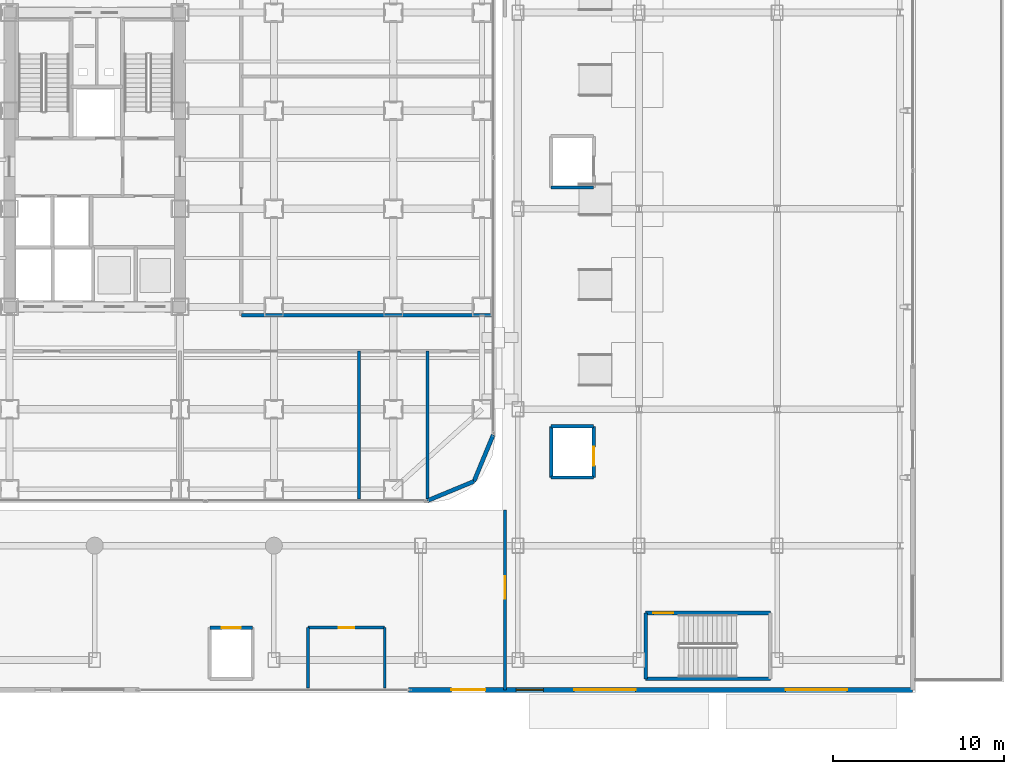
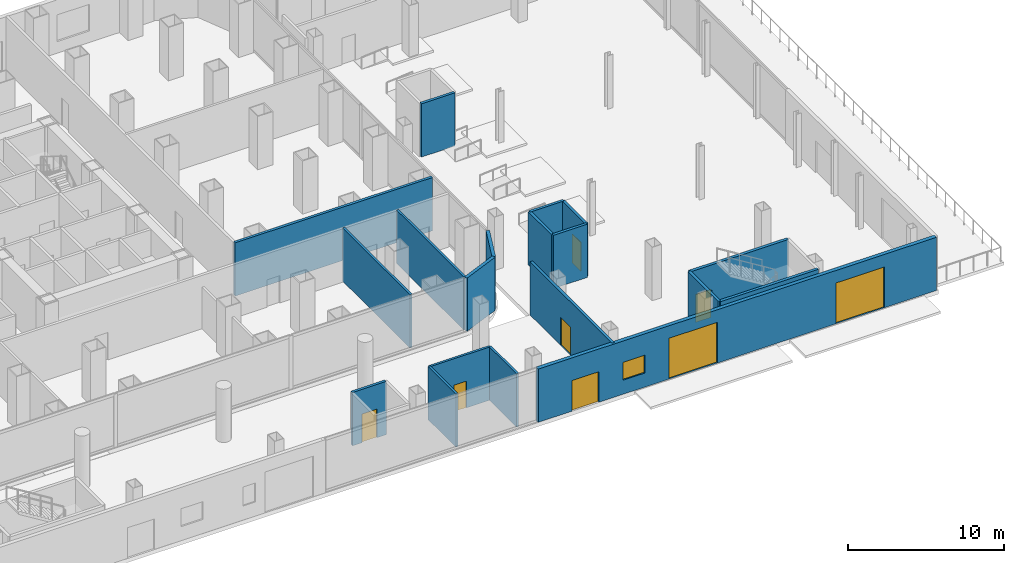
# One storey, part 21 of 31: 19 walls, 8 doors, 1 window, 9 openings.
"""IFC4 building model written with IfcOpenShell, lengths in metres."""

from ifc_helpers import new_model, si_unit, direction, frame, frame_2d, origin, place, context, subcontext, project, spatial, rectangle, extrude, material, layer, layer_set, type_object, element, fill, save


model = new_model("IFC4")

# Units and contexts
model_context = context("Model", 3, precision=1e-05, world=origin(), true_north=direction((0.0, 1.0)))
body_context = subcontext(model_context, "Body", "Model", "MODEL_VIEW")
ifc_project = project(units=[si_unit("LENGTHUNIT", "METRE"), si_unit("AREAUNIT", "SQUARE_METRE"), si_unit("VOLUMEUNIT", "CUBIC_METRE"), si_unit("PLANEANGLEUNIT", "RADIAN"), si_unit("MASSUNIT", "GRAM", prefix="KILO")], contexts=[model_context])

# Site, building, storey
site_placement = place(None, origin())
site = spatial("IfcSite", under=ifc_project, at=site_placement, CompositionType="ELEMENT")
building_placement = place(site_placement, origin())
building = spatial("IfcBuilding", under=site, at=building_placement, Name="Kolveth Station Tower", CompositionType="ELEMENT")
storey_placement = place(building_placement, origin())
storey = spatial("IfcBuildingStorey", under=building, at=storey_placement, Name="L00", CompositionType="ELEMENT", Elevation=0.0)

# Walls
ifc_material_1 = material(Name="Precast concrete C40/50", Category="concrete")
ifc_layer_1 = layer(ifc_material_1, 0.239990234375)
ifc_layer_set_1 = layer_set([ifc_layer_1], Name="Precast concrete C40/50")
wall_type_1 = type_object("IfcWallType", Name="Wall_EW-240", PredefinedType="SOLIDWALL", material=ifc_layer_set_1)
for number, where, z_axis, x_axis, name in (
    (1, (43.0, 0.139892578125, 0.0), (0.0, 0.0, 1.0), (0.923876833688, 0.382689947836, 0.0), "L00 Podium Rounded Corner Wall 1"),
    (2, (45.7294921875, 1.2705078125, 0.0), (0.0, 0.0, 1.0), (0.382689947836, 0.923876833688, 0.0), "L00 Podium Rounded Corner Wall 2"),
):
    element("IfcWall", number, at=place(storey_placement, frame(where, z_axis=z_axis, x_axis=x_axis)), inside=storey, type_object=wall_type_1, Name=name, PredefinedType="SOLIDWALL", context=body_context, shape_type="SweptSolid", body=[
        extrude(rectangle(XDim=2.954345703125, YDim=0.239990234375, at=frame_2d((1.47705078125, 0.0))), origin(), (0.0, 0.0, 1.0), 4.179931640625),
    ])

# Wall, openings, doors, window
ifc_layer_2 = layer(ifc_material_1, 0.280029296875)
ifc_layer_set_2 = layer_set([ifc_layer_2], Name="Precast concrete C40/50")
wall_type_2 = type_object("IfcWallType", Name="Wall_EW-280", PredefinedType="SOLIDWALL", material=ifc_layer_set_2)
wall_1_placement = place(storey_placement, frame((41.89990234375, -10.949951171875, 0.0), z_axis=(0.0, 0.0, 1.0), x_axis=(1.0, 0.0, 0.0)))
wall_1 = element("IfcWall", 3, at=wall_1_placement, inside=storey, type_object=wall_type_2, Name="L00 Station Exterior Wall S2", PredefinedType="SOLIDWALL", context=body_context, shape_type="SweptSolid", body=[
    extrude(rectangle(XDim=29.550048828125, YDim=0.280029296875, at=frame_2d((14.77490234375, 0.0))), origin(), (0.0, 0.0, 1.0), 4.179931640625),
])
opening_1_placement = place(wall_1_placement, frame((6.300048828125, 0.0, 1.10009765625)))
opening_1 = element("IfcOpeningElement", 4, at=opening_1_placement, cuts=wall_1, Name="Opening W7", PredefinedType="OPENING", context=body_context, shape_type="SweptSolid", body=[
    extrude(rectangle(XDim=1.60009765625, YDim=1.39990234375, at=frame_2d((0.800048828125, 0.699951171875))), frame((0.0, 0.14990234375, 0.0), z_axis=(0.0, -1.0, 0.0), x_axis=(1.0, 0.0, 0.0)), (0.0, 0.0, 1.0), 0.300048828125),
])
opening_2_placement = place(wall_1_placement, frame((2.5, 0.0, 0.0)))
opening_2 = element("IfcOpeningElement", 5, at=opening_2_placement, cuts=wall_1, Name="Opening ED1", PredefinedType="OPENING", context=body_context, shape_type="SweptSolid", body=[
    extrude(rectangle(XDim=2.0, YDim=2.39990234375, at=frame_2d((1.0, 1.199951171875))), frame((0.0, 0.14990234375, 0.0), z_axis=(0.0, -1.0, 0.0), x_axis=(1.0, 0.0, 0.0)), (0.0, 0.0, 1.0), 0.300048828125),
])
opening_3_placement = place(wall_1_placement, frame((9.699951171875, 0.0, 0.0)))
opening_3 = element("IfcOpeningElement", 6, at=opening_3_placement, cuts=wall_1, Name="Opening SG1", PredefinedType="OPENING", context=body_context, shape_type="SweptSolid", body=[
    extrude(rectangle(XDim=3.60009765625, YDim=3.199951171875, at=frame_2d((1.800048828125, 1.60009765625))), frame((0.0, 0.14990234375, 0.0), z_axis=(0.0, -1.0, 0.0), x_axis=(1.0, 0.0, 0.0)), (0.0, 0.0, 1.0), 0.300048828125),
])
opening_4_placement = place(wall_1_placement, frame((22.10009765625, 0.0, 0.0)))
opening_4 = element("IfcOpeningElement", 7, at=opening_4_placement, cuts=wall_1, Name="Opening SG1", PredefinedType="OPENING", context=body_context, shape_type="SweptSolid", body=[
    extrude(rectangle(XDim=3.60009765625, YDim=3.199951171875, at=frame_2d((1.800048828125, 1.60009765625))), frame((0.0, 0.14990234375, 0.0), z_axis=(0.0, -1.0, 0.0), x_axis=(1.0, 0.0, 0.0)), (0.0, 0.0, 1.0), 0.300048828125),
])
ifc_material_2 = material(Name="Black anodized aluminium 6063-T6 and laminated glass", Category="aluminium")
door_type_1 = type_object("IfcDoorType", Name="Door_ED1", OperationType="NOTDEFINED", PredefinedType="DOOR", material=ifc_material_2)
door_1_placement = place(opening_2_placement, origin())
door_1 = element("IfcDoor", 8, at=door_1_placement, inside=storey, type_object=door_type_1, Name="L00 Station South-East Revolving Entrance Door 2", OperationType="REVOLVING", OverallHeight=2.39990234375, OverallWidth=2.0, PredefinedType="DOOR", context=body_context, shape_type="SweptSolid", body=[
    extrude(rectangle(XDim=2.0, YDim=2.39990234375, at=frame_2d((1.0, 1.199951171875))), frame((0.0, 0.02490234375, 0.0), z_axis=(0.0, -1.0, 0.0), x_axis=(1.0, 0.0, 0.0)), (0.0, 0.0, 1.0), 0.050048828125),
])
fill(opening_2, door_1)
ifc_material_3 = material(Name="Insulated Steel S355 station service gate", Category="steel")
door_type_2 = type_object("IfcDoorType", Name="Door_SG1", OperationType="NOTDEFINED", PredefinedType="GATE", material=ifc_material_3)
door_2_placement = place(opening_3_placement, origin())
door_2 = element("IfcDoor", 9, at=door_2_placement, inside=storey, type_object=door_type_2, Name="L00 Station Night Security Gate 2", OperationType="ROLLINGUP", OverallHeight=3.199951171875, OverallWidth=3.60009765625, PredefinedType="GATE", context=body_context, shape_type="SweptSolid", body=[
    extrude(rectangle(XDim=3.60009765625, YDim=3.199951171875, at=frame_2d((1.800048828125, 1.60009765625))), frame((0.0, 0.02490234375, 0.0), z_axis=(0.0, -1.0, 0.0), x_axis=(1.0, 0.0, 0.0)), (0.0, 0.0, 1.0), 0.050048828125),
])
fill(opening_3, door_2)
door_3_placement = place(opening_4_placement, origin())
door_3 = element("IfcDoor", 10, at=door_3_placement, inside=storey, type_object=door_type_2, Name="L00 Station Night Security Gate 3", OperationType="ROLLINGUP", OverallHeight=3.199951171875, OverallWidth=3.60009765625, PredefinedType="GATE", context=body_context, shape_type="SweptSolid", body=[
    extrude(rectangle(XDim=3.60009765625, YDim=3.199951171875, at=frame_2d((1.800048828125, 1.60009765625))), frame((0.0, 0.02490234375, 0.0), z_axis=(0.0, -1.0, 0.0), x_axis=(1.0, 0.0, 0.0)), (0.0, 0.0, 1.0), 0.050048828125),
])
fill(opening_4, door_3)
ifc_material_4 = material(Name="Black anodized aluminium 6063-T6 and triple low-E glass", Category="aluminium")
window_type = type_object("IfcWindowType", Name="Win_W7", PartitioningType="SINGLE_PANEL", PredefinedType="WINDOW", material=ifc_material_4)
window_placement = place(opening_1_placement, origin())
window = element("IfcWindow", 11, at=window_placement, inside=storey, type_object=window_type, Name="L00 Station Hall Window 3", OverallHeight=1.39990234375, OverallWidth=1.60009765625, PartitioningType="SINGLE_PANEL", PredefinedType="WINDOW", context=body_context, shape_type="SweptSolid", body=[
    extrude(rectangle(XDim=1.60009765625, YDim=1.39990234375, at=frame_2d((0.800048828125, 0.699951171875))), frame((0.0, 0.030029296875, 0.0), z_axis=(0.0, -1.0, 0.0), x_axis=(1.0, 0.0, 0.0)), (0.0, 0.0, 1.0), 0.06005859375),
])
fill(opening_1, window)

# Walls
ifc_material_5 = material(Name="Acoustic double-stud gypsum partition")
ifc_layer_3 = layer(ifc_material_5, 0.1650390625)
ifc_layer_set_3 = layer_set([ifc_layer_3], Name="Acoustic double-stud gypsum partition")
wall_type_3 = type_object("IfcWallType", Name="Wall_IW-165", PredefinedType="PARTITIONING", material=ifc_layer_set_3)
for number, where, z_axis, x_axis, name in (
    (12, (39.0, 0.25, 0.0), (0.0, 0.0, 1.0), (0.0, 1.0, 0.0), "L00 Partition Wall WL-L00-TL0S-P3"),
    (13, (43.0, 0.25, 0.0), (0.0, 0.0, 1.0), (0.0, 1.0, 0.0), "L00 Partition Wall WL-L00-TL0S-P4"),
):
    element("IfcWall", number, at=place(storey_placement, frame(where, z_axis=z_axis, x_axis=x_axis)), inside=storey, type_object=wall_type_3, Name=name, PredefinedType="PARTITIONING", context=body_context, shape_type="SweptSolid", body=[
        extrude(rectangle(XDim=8.64990234375, YDim=0.1650390625, at=frame_2d((4.324951171875, 0.0))), origin(), (0.0, 0.0, 1.0), 4.179931640625),
    ])

# Wall, opening, door
wall_2_placement = place(storey_placement, frame((36.0, -7.300048828125, 0.0), z_axis=(0.0, 0.0, 1.0), x_axis=(1.0, 0.0, 0.0)))
wall_2 = element("IfcWall", 14, at=wall_2_placement, inside=storey, type_object=wall_type_3, Name="L00 Partition Wall WL-L00-SWC-N", PredefinedType="PARTITIONING", context=body_context, shape_type="SweptSolid", body=[
    extrude(rectangle(XDim=4.5, YDim=0.1650390625, at=frame_2d((2.25, 0.0))), origin(), (0.0, 0.0, 1.0), 4.179931640625),
])
opening_5_placement = place(wall_2_placement, frame((1.800048828125, 0.0, 0.0)))
opening_5 = element("IfcOpeningElement", 15, at=opening_5_placement, cuts=wall_2, Name="Opening ID2", PredefinedType="OPENING", context=body_context, shape_type="SweptSolid", body=[
    extrude(rectangle(XDim=0.919921875, YDim=2.10009765625, at=frame_2d((0.4599609375, 1.050048828125))), frame((0.0, 0.092529296875, 0.0), z_axis=(0.0, -1.0, 0.0), x_axis=(1.0, 0.0, 0.0)), (0.0, 0.0, 1.0), 0.18505859375),
])
ifc_material_6 = material(Name="Moisture-resistant hardwood leaf", Category="wood")
door_type_3 = type_object("IfcDoorType", Name="Door_ID2", OperationType="NOTDEFINED", PredefinedType="DOOR", material=ifc_material_6)
door_4_placement = place(opening_5_placement, origin())
door_4 = element("IfcDoor", 16, at=door_4_placement, inside=storey, type_object=door_type_3, Name="L00 Station Accessible WC Door", OperationType="SINGLE_SWING_LEFT", OverallHeight=2.10009765625, OverallWidth=0.919921875, PredefinedType="DOOR", context=body_context, shape_type="SweptSolid", body=[
    extrude(rectangle(XDim=0.919921875, YDim=2.10009765625, at=frame_2d((0.4599609375, 1.050048828125))), frame((0.0, 0.02490234375, 0.0), z_axis=(0.0, -1.0, 0.0), x_axis=(1.0, 0.0, 0.0)), (0.0, 0.0, 1.0), 0.050048828125),
])
fill(opening_5, door_4)

# Walls
for number, where, z_axis, x_axis, name in (
    (17, (36.0, -10.85009765625, 0.0), (0.0, 0.0, 1.0), (0.0, 1.0, 0.0), "L00 Partition Wall WL-L00-SWC-W"),
    (18, (40.5, -10.85009765625, 0.0), (0.0, 0.0, 1.0), (0.0, 1.0, 0.0), "L00 Partition Wall WL-L00-SWC-E"),
):
    element("IfcWall", number, at=place(storey_placement, frame(where, z_axis=z_axis, x_axis=x_axis)), inside=storey, type_object=wall_type_3, Name=name, PredefinedType="PARTITIONING", context=body_context, shape_type="SweptSolid", body=[
        extrude(rectangle(XDim=3.550048828125, YDim=0.1650390625, at=frame_2d((1.77490234375, 0.0))), origin(), (0.0, 0.0, 1.0), 4.179931640625),
    ])
ifc_material_7 = material(Name="Acoustic fire-rated gypsum blockwork", Category="masonry")
ifc_layer_4 = layer(ifc_material_7, 0.199951171875)
ifc_layer_set_4 = layer_set([ifc_layer_4], Name="Acoustic fire-rated gypsum blockwork")
wall_type_4 = type_object("IfcWallType", Name="Wall_IW-200", PredefinedType="PARTITIONING", material=ifc_layer_set_4)
wall_3_placement = place(storey_placement, frame((32.10009765625, 11.0, 0.0), z_axis=(0.0, 0.0, 1.0), x_axis=(1.0, 0.0, 0.0)))
element("IfcWall", 19, at=wall_3_placement, inside=storey, type_object=wall_type_4, Name="L00 Partition Wall WL-L00-BST2", PredefinedType="PARTITIONING", context=body_context, shape_type="SweptSolid", body=[
    extrude(rectangle(XDim=14.64990234375, YDim=0.199951171875, at=frame_2d((7.324951171875, 0.0))), origin(), (0.0, 0.0, 1.0), 4.179931640625),
])
for number, where, z_axis, x_axis, name in (
    (20, (50.25, 1.5, 0.0), (0.0, 0.0, 1.0), (1.0, 0.0, 0.0), "L00 Partition Wall WL-L00-SL1-S"),
    (21, (50.25, 4.5, 0.0), (0.0, 0.0, 1.0), (1.0, 0.0, 0.0), "L00 Partition Wall WL-L00-SL1-N"),
):
    element("IfcWall", number, at=place(storey_placement, frame(where, z_axis=z_axis, x_axis=x_axis)), inside=storey, type_object=wall_type_4, Name=name, PredefinedType="PARTITIONING", context=body_context, shape_type="SweptSolid", body=[
        extrude(rectangle(XDim=2.5, YDim=0.199951171875, at=frame_2d((1.25, 0.0))), origin(), (0.0, 0.0, 1.0), 4.179931640625),
    ])
wall_4_placement = place(storey_placement, frame((50.25, 1.5, 0.0), z_axis=(0.0, 0.0, 1.0), x_axis=(0.0, 1.0, 0.0)))
element("IfcWall", 22, at=wall_4_placement, inside=storey, type_object=wall_type_4, Name="L00 Partition Wall WL-L00-SL1-W", PredefinedType="PARTITIONING", context=body_context, shape_type="SweptSolid", body=[
    extrude(rectangle(XDim=3.0, YDim=0.199951171875, at=frame_2d((1.5, 0.0))), origin(), (0.0, 0.0, 1.0), 4.179931640625),
])

# Wall, opening, door
wall_5_placement = place(storey_placement, frame((52.75, 1.5, 0.0), z_axis=(0.0, 0.0, 1.0), x_axis=(0.0, 1.0, 0.0)))
wall_5 = element("IfcWall", 23, at=wall_5_placement, inside=storey, type_object=wall_type_4, Name="L00 Partition Wall WL-L00-SL1-E", PredefinedType="PARTITIONING", context=body_context, shape_type="SweptSolid", body=[
    extrude(rectangle(XDim=3.0, YDim=0.199951171875, at=frame_2d((1.5, 0.0))), origin(), (0.0, 0.0, 1.0), 4.179931640625),
])
opening_6_placement = place(wall_5_placement, frame((0.699951171875, 0.0, 0.0)))
opening_6 = element("IfcOpeningElement", 24, at=opening_6_placement, cuts=wall_5, Name="Opening LD1", PredefinedType="OPENING", context=body_context, shape_type="SweptSolid", body=[
    extrude(rectangle(XDim=1.10009765625, YDim=2.25, at=frame_2d((0.550048828125, 1.125))), frame((0.0, 0.10986328125, 0.0), z_axis=(0.0, -1.0, 0.0), x_axis=(1.0, 0.0, 0.0)), (0.0, 0.0, 1.0), 0.219970703125),
])
ifc_material_8 = material(Name="Brushed stainless steel sliding landing doors", Category="steel")
door_type_4 = type_object("IfcDoorType", Name="Door_LD1", OperationType="NOTDEFINED", PredefinedType="DOOR", material=ifc_material_8)
door_5_placement = place(opening_6_placement, origin())
door_5 = element("IfcDoor", 25, at=door_5_placement, inside=storey, type_object=door_type_4, Name="L00 Station Lift SL1 Landing Door", OperationType="DOUBLE_DOOR_SLIDING", OverallHeight=2.25, OverallWidth=1.10009765625, PredefinedType="DOOR", context=body_context, shape_type="SweptSolid", body=[
    extrude(rectangle(XDim=1.10009765625, YDim=2.25, at=frame_2d((0.550048828125, 1.125))), frame((0.0, 0.02490234375, 0.0), z_axis=(0.0, -1.0, 0.0), x_axis=(1.0, 0.0, 0.0)), (0.0, 0.0, 1.0), 0.050048828125),
])
fill(opening_6, door_5)

# Wall
wall_6_placement = place(storey_placement, frame((50.25, 18.5, 0.0), z_axis=(0.0, 0.0, 1.0), x_axis=(1.0, 0.0, 0.0)))
element("IfcWall", 26, at=wall_6_placement, inside=storey, type_object=wall_type_4, Name="L00 Partition Wall WL-L00-SL2-S", PredefinedType="PARTITIONING", context=body_context, shape_type="SweptSolid", body=[
    extrude(rectangle(XDim=2.5, YDim=0.199951171875, at=frame_2d((1.25, 0.0))), origin(), (0.0, 0.0, 1.0), 4.179931640625),
])

# Wall, opening, door
wall_7_placement = place(storey_placement, frame((30.25, -7.300048828125, 0.0), z_axis=(0.0, 0.0, 1.0), x_axis=(1.0, 0.0, 0.0)))
wall_7 = element("IfcWall", 27, at=wall_7_placement, inside=storey, type_object=wall_type_4, Name="L00 Partition Wall WL-L00-SL3-N", PredefinedType="PARTITIONING", context=body_context, shape_type="SweptSolid", body=[
    extrude(rectangle(XDim=2.5, YDim=0.199951171875, at=frame_2d((1.25, 0.0))), origin(), (0.0, 0.0, 1.0), 4.179931640625),
])
opening_7_placement = place(wall_7_placement, frame((0.699951171875, 0.0, 0.0)))
opening_7 = element("IfcOpeningElement", 28, at=opening_7_placement, cuts=wall_7, Name="Opening LD1", PredefinedType="OPENING", context=body_context, shape_type="SweptSolid", body=[
    extrude(rectangle(XDim=1.10009765625, YDim=2.25, at=frame_2d((0.550048828125, 1.125))), frame((0.0, 0.10986328125, 0.0), z_axis=(0.0, -1.0, 0.0), x_axis=(1.0, 0.0, 0.0)), (0.0, 0.0, 1.0), 0.219970703125),
])
door_6_placement = place(opening_7_placement, origin())
door_6 = element("IfcDoor", 29, at=door_6_placement, inside=storey, type_object=door_type_4, Name="L00 Station Lift SL3 Landing Door", OperationType="DOUBLE_DOOR_SLIDING", OverallHeight=2.25, OverallWidth=1.10009765625, PredefinedType="DOOR", context=body_context, shape_type="SweptSolid", body=[
    extrude(rectangle(XDim=1.10009765625, YDim=2.25, at=frame_2d((0.550048828125, 1.125))), frame((0.0, 0.02490234375, 0.0), z_axis=(0.0, -1.0, 0.0), x_axis=(1.0, 0.0, 0.0)), (0.0, 0.0, 1.0), 0.050048828125),
])
fill(opening_7, door_6)

wall_8_placement = place(storey_placement, frame((47.550048828125, -10.949951171875, 0.0), z_axis=(0.0, 0.0, 1.0), x_axis=(0.0, 1.0, 0.0)))
wall_8 = element("IfcWall", 30, at=wall_8_placement, inside=storey, type_object=wall_type_4, Name="L00 Partition Wall WL-L00-STN-SE", PredefinedType="PARTITIONING", context=body_context, shape_type="SweptSolid", body=[
    extrude(rectangle(XDim=10.550048828125, YDim=0.199951171875, at=frame_2d((5.27490234375, 0.0))), origin(), (0.0, 0.0, 1.0), 4.179931640625),
])
opening_8_placement = place(wall_8_placement, frame((5.35009765625, 0.0, 0.0)))
opening_8 = element("IfcOpeningElement", 31, at=opening_8_placement, cuts=wall_8, Name="Opening ID3", PredefinedType="OPENING", context=body_context, shape_type="SweptSolid", body=[
    extrude(rectangle(XDim=1.300048828125, YDim=2.199951171875, at=frame_2d((0.64990234375, 1.10009765625))), frame((0.0, 0.10986328125, 0.0), z_axis=(0.0, -1.0, 0.0), x_axis=(1.0, 0.0, 0.0)), (0.0, 0.0, 1.0), 0.219970703125),
])
ifc_material_9 = material(Name="Glazed acoustic office double leaf")
door_type_5 = type_object("IfcDoorType", Name="Door_ID3", OperationType="NOTDEFINED", PredefinedType="DOOR", material=ifc_material_9)
door_7_placement = place(opening_8_placement, origin())
door_7 = element("IfcDoor", 32, at=door_7_placement, inside=storey, type_object=door_type_5, Name="L00 Station South-to-East Concourse Door", OperationType="DOUBLE_DOOR_SINGLE_SWING", OverallHeight=2.199951171875, OverallWidth=1.300048828125, PredefinedType="DOOR", context=body_context, shape_type="SweptSolid", body=[
    extrude(rectangle(XDim=1.300048828125, YDim=2.199951171875, at=frame_2d((0.64990234375, 1.10009765625))), frame((0.0, 0.02490234375, 0.0), z_axis=(0.0, -1.0, 0.0), x_axis=(1.0, 0.0, 0.0)), (0.0, 0.0, 1.0), 0.050048828125),
])
fill(opening_8, door_7)

# Wall
ifc_material_10 = material(Name="Concrete C40/50", Category="concrete")
ifc_layer_5 = layer(ifc_material_10, 0.219970703125)
ifc_layer_set_5 = layer_set([ifc_layer_5], Name="Concrete C40/50")
wall_type_5 = type_object("IfcWallType", Name="Wall_IW-220", PredefinedType="SOLIDWALL", material=ifc_layer_set_5)
wall_9_placement = place(storey_placement, frame((55.800048828125, -10.300048828125, 0.0), z_axis=(0.0, 0.0, 1.0), x_axis=(1.0, 0.0, 0.0)))
element("IfcWall", 33, at=wall_9_placement, inside=storey, type_object=wall_type_5, Name="L00 Stair Shaft Wall WL-L00-ST4-S", PredefinedType="SOLIDWALL", context=body_context, shape_type="SweptSolid", body=[
    extrude(rectangle(XDim=7.300048828125, YDim=0.219970703125, at=frame_2d((3.64990234375, 0.0))), origin(), (0.0, 0.0, 1.0), 4.179931640625),
])

# Wall, opening, door
wall_10_placement = place(storey_placement, frame((55.800048828125, -6.43994140625, 0.0), z_axis=(0.0, 0.0, 1.0), x_axis=(1.0, 0.0, 0.0)))
wall_10 = element("IfcWall", 34, at=wall_10_placement, inside=storey, type_object=wall_type_5, Name="L00 Stair Shaft Wall WL-L00-ST4-N", PredefinedType="SOLIDWALL", context=body_context, shape_type="SweptSolid", body=[
    extrude(rectangle(XDim=7.300048828125, YDim=0.219970703125, at=frame_2d((3.64990234375, 0.0))), origin(), (0.0, 0.0, 1.0), 4.179931640625),
])
opening_9_placement = place(wall_10_placement, frame((0.449951171875, 0.0, 0.0)))
opening_9 = element("IfcOpeningElement", 35, at=opening_9_placement, cuts=wall_10, Name="Opening FD1", PredefinedType="OPENING", context=body_context, shape_type="SweptSolid", body=[
    extrude(rectangle(XDim=1.14990234375, YDim=2.199951171875, at=frame_2d((0.574951171875, 1.10009765625))), frame((0.0, 0.119873046875, 0.0), z_axis=(0.0, -1.0, 0.0), x_axis=(1.0, 0.0, 0.0)), (0.0, 0.0, 1.0), 0.239990234375),
])
ifc_material_11 = material(Name="Fire-rated Steel S355 leaf and frame", Category="steel")
door_type_6 = type_object("IfcDoorType", Name="Door_FD1", OperationType="NOTDEFINED", PredefinedType="DOOR", material=ifc_material_11)
door_8_placement = place(opening_9_placement, origin())
door_8 = element("IfcDoor", 36, at=door_8_placement, inside=storey, type_object=door_type_6, Name="L00 Station Stair ST4 Door", OperationType="SINGLE_SWING_LEFT", OverallHeight=2.199951171875, OverallWidth=1.14990234375, PredefinedType="DOOR", context=body_context, shape_type="SweptSolid", body=[
    extrude(rectangle(XDim=1.14990234375, YDim=2.199951171875, at=frame_2d((0.574951171875, 1.10009765625))), frame((0.0, 0.02490234375, 0.0), z_axis=(0.0, -1.0, 0.0), x_axis=(1.0, 0.0, 0.0)), (0.0, 0.0, 1.0), 0.050048828125),
])
fill(opening_9, door_8)

# Wall
wall_11_placement = place(storey_placement, frame((55.800048828125, -10.300048828125, 0.0), z_axis=(0.0, 0.0, 1.0), x_axis=(0.0, 1.0, 0.0)))
element("IfcWall", 37, at=wall_11_placement, inside=storey, type_object=wall_type_5, Name="L00 Stair Shaft Wall WL-L00-ST4-W", PredefinedType="SOLIDWALL", context=body_context, shape_type="SweptSolid", body=[
    extrude(rectangle(XDim=3.860107421875, YDim=0.219970703125, at=frame_2d((1.93017578125, 0.0))), origin(), (0.0, 0.0, 1.0), 4.179931640625),
])

save(model, "model.ifc")
